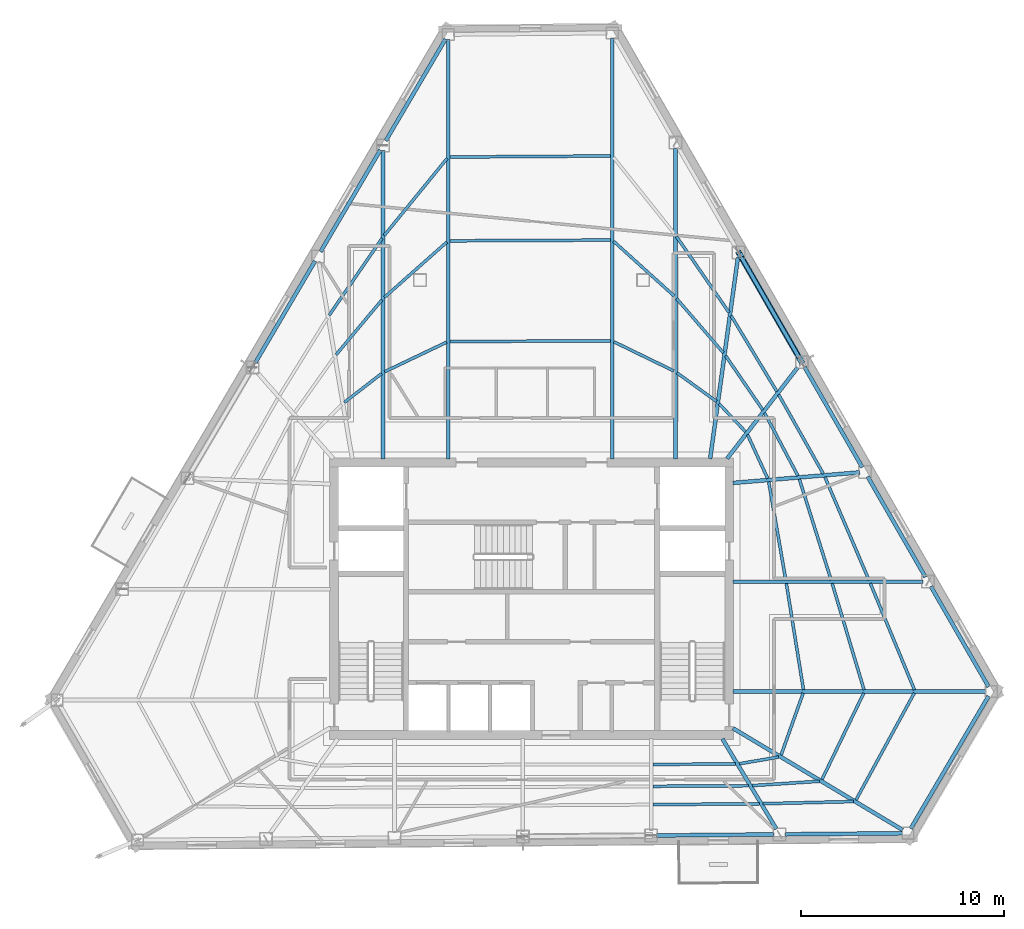
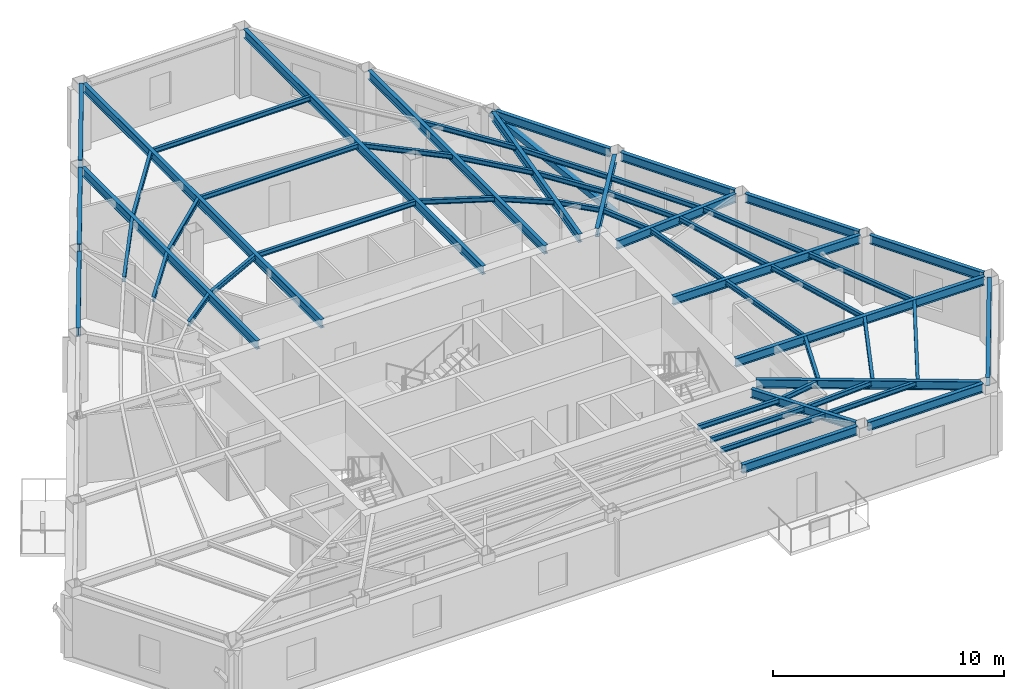
# One storey, part 2 of 14: 56 beams, 1 member.
"""IFC4 building model written with IfcOpenShell, lengths in metres."""

from ifc_helpers import new_model, si_unit, direction, frame, origin, origin_2d, place, context, subcontext, project, spatial, hollow_rectangle, i_section, extrude, material, material_profile, profile_set, type_object, element, save


model = new_model("IFC4")

# Units and contexts
model_context = context("Model", 3, precision=1e-05, world=origin(), true_north=direction((0.0, 1.0)))
body_context = subcontext(model_context, "Body", "Model", "MODEL_VIEW")
ifc_project = project(units=[si_unit("LENGTHUNIT", "METRE"), si_unit("AREAUNIT", "SQUARE_METRE"), si_unit("VOLUMEUNIT", "CUBIC_METRE"), si_unit("PLANEANGLEUNIT", "RADIAN"), si_unit("MASSUNIT", "GRAM", prefix="KILO")], contexts=[model_context])

# Site, building, storey
site_placement = place(None, origin())
site = spatial("IfcSite", under=ifc_project, at=site_placement, CompositionType="ELEMENT")
building_placement = place(site_placement, origin())
building = spatial("IfcBuilding", under=site, at=building_placement, Name="Kavelnor Concourse Tower", CompositionType="ELEMENT")
storey_placement = place(building_placement, frame((0.0, 0.0, 215.050048828125)))
storey = spatial("IfcBuildingStorey", under=building, at=storey_placement, Name="L54", CompositionType="ELEMENT", Elevation=215.050048828125)

# Beams
ifc_material = material(Name="Steel Grade 350", Category="steel")
ifc_material_profile_1 = material_profile(ifc_material, i_section(OverallWidth=0.14599609375, OverallDepth=0.256103515625, WebThickness=0.00634765625, FlangeThickness=0.010986328125, at=origin_2d()), Name="250UB37")
ifc_profile_set_1 = profile_set([ifc_material_profile_1], Name="Steel Grade 350")
beam_type_1 = type_object("IfcBeamType", Name="BM-JOIST-250", PredefinedType="JOIST", material=ifc_profile_set_1)
beam_1_placement = place(storey_placement, frame((43.983642578125, 7.93701171875, 3.471923828125), z_axis=(0.99999495857, 0.00317534796, 0.0), x_axis=(-0.00317534796, 0.99999495857, 0.0)))
element("IfcBeam", 1, at=beam_1_placement, inside=storey, type_object=beam_type_1, Name="L54 Secondary Composite Joist 06-1", PredefinedType="JOIST", context=body_context, shape_type="SweptSolid", body=[
    extrude(i_section(OverallWidth=0.14599609375, OverallDepth=0.256103515625, WebThickness=0.00634765625, FlangeThickness=0.010986328125, at=origin_2d()), origin(), (0.0, 0.0, 1.0), 4.074951171875),
])
beam_2_placement = place(storey_placement, frame((43.983642578125, 6.8544921875, 3.471923828125), z_axis=(0.999981327508, 0.006111025773, 0.0), x_axis=(-0.006111025773, 0.999981327508, 0.0)))
element("IfcBeam", 2, at=beam_2_placement, inside=storey, type_object=beam_type_1, Name="L54 Secondary Composite Joist 06-2", PredefinedType="JOIST", context=body_context, shape_type="SweptSolid", body=[
    extrude(i_section(OverallWidth=0.14599609375, OverallDepth=0.256103515625, WebThickness=0.00634765625, FlangeThickness=0.010986328125, at=origin_2d()), origin(), (0.0, 0.0, 1.0), 4.714111328125),
])
beam_3_placement = place(storey_placement, frame((43.983642578125, 5.952392578125, 3.471923828125), z_axis=(0.999967971751, 0.008003466316, 0.0), x_axis=(-0.008003466316, 0.999967971751, 0.0)))
element("IfcBeam", 3, at=beam_3_placement, inside=storey, type_object=beam_type_1, Name="L54 Secondary Composite Joist 06-3", PredefinedType="JOIST", context=body_context, shape_type="SweptSolid", body=[
    extrude(i_section(OverallWidth=0.14599609375, OverallDepth=0.256103515625, WebThickness=0.00634765625, FlangeThickness=0.010986328125, at=origin_2d()), origin(), (0.0, 0.0, 1.0), 5.246826171875),
])
beam_4_placement = place(storey_placement, frame((48.235595703125, 7.965087890625, 3.471923828125), z_axis=(0.985678755142, 0.168633898317, 0.0), x_axis=(-0.168633898317, 0.985678755142, 0.0)))
element("IfcBeam", 4, at=beam_4_placement, inside=storey, type_object=beam_type_1, Name="L54 Secondary Composite Joist 07-1", PredefinedType="JOIST", context=body_context, shape_type="SweptSolid", body=[
    extrude(i_section(OverallWidth=0.14599609375, OverallDepth=0.256103515625, WebThickness=0.00634765625, FlangeThickness=0.010986328125, at=origin_2d()), origin(), (0.0, 0.0, 1.0), 1.971923828125),
])
beam_5_placement = place(storey_placement, frame((48.87548828125, 6.889404296875, 3.471923828125), z_axis=(0.997918590509, 0.064486329691, 0.0), x_axis=(-0.064486329691, 0.997918590509, 0.0)))
element("IfcBeam", 5, at=beam_5_placement, inside=storey, type_object=beam_type_1, Name="L54 Secondary Composite Joist 07-2", PredefinedType="JOIST", context=body_context, shape_type="SweptSolid", body=[
    extrude(i_section(OverallWidth=0.14599609375, OverallDepth=0.256103515625, WebThickness=0.00634765625, FlangeThickness=0.010986328125, at=origin_2d()), origin(), (0.0, 0.0, 1.0), 3.31640625),
])
beam_6_placement = place(storey_placement, frame((49.408203125, 5.997314453125, 3.471923828125), z_axis=(0.999713900681, 0.023918962887, 0.0), x_axis=(-0.023918962887, 0.999713900681, 0.0)))
element("IfcBeam", 6, at=beam_6_placement, inside=storey, type_object=beam_type_1, Name="L54 Secondary Composite Joist 07-3", PredefinedType="JOIST", context=body_context, shape_type="SweptSolid", body=[
    extrude(i_section(OverallWidth=0.14599609375, OverallDepth=0.256103515625, WebThickness=0.00634765625, FlangeThickness=0.010986328125, at=origin_2d()), origin(), (0.0, 0.0, 1.0), 4.4501953125),
])
beam_7_placement = place(storey_placement, frame((50.296875, 8.396484375, 3.471923828125), z_axis=(0.335906480269, 0.941895342654, 0.0), x_axis=(-0.941895342654, 0.335906480269, 0.0)))
element("IfcBeam", 7, at=beam_7_placement, inside=storey, type_object=beam_type_1, Name="L54 Secondary Composite Joist 08-1", PredefinedType="JOIST", context=body_context, shape_type="SweptSolid", body=[
    extrude(i_section(OverallWidth=0.14599609375, OverallDepth=0.256103515625, WebThickness=0.00634765625, FlangeThickness=0.010986328125, at=origin_2d()), origin(), (0.0, 0.0, 1.0), 3.238037109375),
])
beam_8_placement = place(storey_placement, frame((52.3125, 7.189208984375, 3.471923828125), z_axis=(0.43493373876, 0.900462460566, 0.0), x_axis=(-0.900462460566, 0.43493373876, 0.0)))
element("IfcBeam", 8, at=beam_8_placement, inside=storey, type_object=beam_type_1, Name="L54 Secondary Composite Joist 08-2", PredefinedType="JOIST", context=body_context, shape_type="SweptSolid", body=[
    extrude(i_section(OverallWidth=0.14599609375, OverallDepth=0.256103515625, WebThickness=0.00634765625, FlangeThickness=0.010986328125, at=origin_2d()), origin(), (0.0, 0.0, 1.0), 4.73193359375),
])
beam_9_placement = place(storey_placement, frame((53.98876953125, 6.18408203125, 3.471923828125), z_axis=(0.478920538895, 0.877858255885, 0.0), x_axis=(-0.877858255885, 0.478920538895, 0.0)))
element("IfcBeam", 9, at=beam_9_placement, inside=storey, type_object=beam_type_1, Name="L54 Secondary Composite Joist 08-3", PredefinedType="JOIST", context=body_context, shape_type="SweptSolid", body=[
    extrude(i_section(OverallWidth=0.14599609375, OverallDepth=0.256103515625, WebThickness=0.00634765625, FlangeThickness=0.010986328125, at=origin_2d()), origin(), (0.0, 0.0, 1.0), 6.0009765625),
])
beam_10_placement = place(storey_placement, frame((51.400146484375, 11.6181640625, 3.471923828125), z_axis=(-0.159154253395, 0.987253728089, 0.0), x_axis=(-0.987253728089, -0.159154253395, 0.0)))
element("IfcBeam", 10, at=beam_10_placement, inside=storey, type_object=beam_type_1, Name="L54 Secondary Composite Joist 09-1", PredefinedType="JOIST", context=body_context, shape_type="SweptSolid", body=[
    extrude(i_section(OverallWidth=0.14599609375, OverallDepth=0.256103515625, WebThickness=0.00634765625, FlangeThickness=0.010986328125, at=origin_2d()), origin(), (0.0, 0.0, 1.0), 5.301513671875),
])
beam_11_placement = place(storey_placement, frame((54.3837890625, 11.615478515625, 3.471923828125), z_axis=(-0.286733491458, 0.95801038871, 0.0), x_axis=(-0.95801038871, -0.286733491458, 0.0)))
element("IfcBeam", 11, at=beam_11_placement, inside=storey, type_object=beam_type_1, Name="L54 Secondary Composite Joist 09-2", PredefinedType="JOIST", context=body_context, shape_type="SweptSolid", body=[
    extrude(i_section(OverallWidth=0.14599609375, OverallDepth=0.256103515625, WebThickness=0.00634765625, FlangeThickness=0.010986328125, at=origin_2d()), origin(), (0.0, 0.0, 1.0), 5.468994140625),
])
beam_12_placement = place(storey_placement, frame((56.87109375, 11.6123046875, 3.471923828125), z_axis=(-0.382837836542, 0.92381556109, 0.0), x_axis=(-0.92381556109, -0.382837836542, 0.0)))
element("IfcBeam", 12, at=beam_12_placement, inside=storey, type_object=beam_type_1, Name="L54 Secondary Composite Joist 09-3", PredefinedType="JOIST", context=body_context, shape_type="SweptSolid", body=[
    extrude(i_section(OverallWidth=0.14599609375, OverallDepth=0.256103515625, WebThickness=0.00634765625, FlangeThickness=0.010986328125, at=origin_2d()), origin(), (0.0, 0.0, 1.0), 5.67822265625),
])
beam_13_placement = place(storey_placement, frame((50.527099609375, 17.027587890625, 3.471923828125), z_axis=(-0.171303412661, 0.985218321394, 0.0), x_axis=(-0.985218321394, -0.171303412661, 0.0)))
element("IfcBeam", 13, at=beam_13_placement, inside=storey, type_object=beam_type_1, Name="L54 Secondary Composite Joist 10-1", PredefinedType="JOIST", context=body_context, shape_type="SweptSolid", body=[
    extrude(i_section(OverallWidth=0.14599609375, OverallDepth=0.256103515625, WebThickness=0.00634765625, FlangeThickness=0.010986328125, at=origin_2d()), origin(), (0.0, 0.0, 1.0), 4.9111328125),
])
beam_14_placement = place(storey_placement, frame((52.76318359375, 17.02490234375, 3.471923828125), z_axis=(-0.300523522278, 0.953774403388, 0.0), x_axis=(-0.953774403388, -0.300523522278, 0.0)))
element("IfcBeam", 14, at=beam_14_placement, inside=storey, type_object=beam_type_1, Name="L54 Secondary Composite Joist 10-2", PredefinedType="JOIST", context=body_context, shape_type="SweptSolid", body=[
    extrude(i_section(OverallWidth=0.14599609375, OverallDepth=0.256103515625, WebThickness=0.00634765625, FlangeThickness=0.010986328125, at=origin_2d()), origin(), (0.0, 0.0, 1.0), 5.209716796875),
])
beam_15_placement = place(storey_placement, frame((54.628173828125, 17.021728515625, 3.471923828125), z_axis=(-0.393209762945, 0.919448792661, 0.0), x_axis=(-0.919448792661, -0.393209762945, 0.0)))
element("IfcBeam", 15, at=beam_15_placement, inside=storey, type_object=beam_type_1, Name="L54 Secondary Composite Joist 10-3", PredefinedType="JOIST", context=body_context, shape_type="SweptSolid", body=[
    extrude(i_section(OverallWidth=0.14599609375, OverallDepth=0.256103515625, WebThickness=0.00634765625, FlangeThickness=0.010986328125, at=origin_2d()), origin(), (0.0, 0.0, 1.0), 5.524169921875),
])
beam_16_placement = place(storey_placement, frame((49.63330078125, 22.03466796875, 3.471923828125), z_axis=(-0.418200394069, 0.908354793239, 0.0), x_axis=(-0.908354793239, -0.418200394069, 0.0)))
element("IfcBeam", 16, at=beam_16_placement, inside=storey, type_object=beam_type_1, Name="L54 Secondary Composite Joist 11-1", PredefinedType="JOIST", context=body_context, shape_type="SweptSolid", body=[
    extrude(i_section(OverallWidth=0.14599609375, OverallDepth=0.256103515625, WebThickness=0.00634765625, FlangeThickness=0.010986328125, at=origin_2d()), origin(), (0.0, 0.0, 1.0), 2.364990234375),
])
beam_17_placement = place(storey_placement, frame((51.12890625, 22.1572265625, 3.471923828125), z_axis=(-0.468516600491, 0.883454693272, 0.0), x_axis=(-0.883454693272, -0.468516600491, 0.0)))
element("IfcBeam", 17, at=beam_17_placement, inside=storey, type_object=beam_type_1, Name="L54 Secondary Composite Joist 11-2", PredefinedType="JOIST", context=body_context, shape_type="SweptSolid", body=[
    extrude(i_section(OverallWidth=0.14599609375, OverallDepth=0.256103515625, WebThickness=0.00634765625, FlangeThickness=0.010986328125, at=origin_2d()), origin(), (0.0, 0.0, 1.0), 3.51318359375),
])
beam_18_placement = place(storey_placement, frame((52.377197265625, 22.26025390625, 3.471923828125), z_axis=(-0.491007041083, 0.871155603556, 0.0), x_axis=(-0.871155603556, -0.491007041083, 0.0)))
element("IfcBeam", 18, at=beam_18_placement, inside=storey, type_object=beam_type_1, Name="L54 Secondary Composite Joist 11-3", PredefinedType="JOIST", context=body_context, shape_type="SweptSolid", body=[
    extrude(i_section(OverallWidth=0.14599609375, OverallDepth=0.256103515625, WebThickness=0.00634765625, FlangeThickness=0.010986328125, at=origin_2d()), origin(), (0.0, 0.0, 1.0), 4.47509765625),
])
beam_19_placement = place(storey_placement, frame((48.546142578125, 24.328369140625, 3.471923828125), z_axis=(-0.685905907162, 0.727690240776, 0.0), x_axis=(-0.727690240776, -0.685905907162, 0.0)))
element("IfcBeam", 19, at=beam_19_placement, inside=storey, type_object=beam_type_1, Name="L54 Secondary Composite Joist 12-1", PredefinedType="JOIST", context=body_context, shape_type="SweptSolid", body=[
    extrude(i_section(OverallWidth=0.14599609375, OverallDepth=0.256103515625, WebThickness=0.00634765625, FlangeThickness=0.010986328125, at=origin_2d()), origin(), (0.0, 0.0, 1.0), 1.89892578125),
])
beam_20_placement = place(storey_placement, frame((49.390869140625, 25.412841796875, 3.471923828125), z_axis=(-0.565730793997, 0.824590000378, 0.0), x_axis=(-0.824590000378, -0.565730793997, 0.0)))
element("IfcBeam", 20, at=beam_20_placement, inside=storey, type_object=beam_type_1, Name="L54 Secondary Composite Joist 12-2", PredefinedType="JOIST", context=body_context, shape_type="SweptSolid", body=[
    extrude(i_section(OverallWidth=0.14599609375, OverallDepth=0.256103515625, WebThickness=0.00634765625, FlangeThickness=0.010986328125, at=origin_2d()), origin(), (0.0, 0.0, 1.0), 3.234130859375),
])
beam_21_placement = place(storey_placement, frame((50.09033203125, 26.3125, 3.471923828125), z_axis=(-0.516570455548, 0.856244687256, 0.0), x_axis=(-0.856244687256, -0.516570455548, 0.0)))
element("IfcBeam", 21, at=beam_21_placement, inside=storey, type_object=beam_type_1, Name="L54 Secondary Composite Joist 12-3", PredefinedType="JOIST", context=body_context, shape_type="SweptSolid", body=[
    extrude(i_section(OverallWidth=0.14599609375, OverallDepth=0.256103515625, WebThickness=0.00634765625, FlangeThickness=0.010986328125, at=origin_2d()), origin(), (0.0, 0.0, 1.0), 4.375),
])
beam_22_placement = place(storey_placement, frame((47.1103515625, 25.826904296875, 3.471923828125), z_axis=(-0.810124938437, 0.586257267863, 0.0), x_axis=(-0.586257267863, -0.810124938437, 0.0)))
element("IfcBeam", 22, at=beam_22_placement, inside=storey, type_object=beam_type_1, Name="L54 Secondary Composite Joist 13-1", PredefinedType="JOIST", context=body_context, shape_type="SweptSolid", body=[
    extrude(i_section(OverallWidth=0.14599609375, OverallDepth=0.256103515625, WebThickness=0.00634765625, FlangeThickness=0.010986328125, at=origin_2d()), origin(), (0.0, 0.0, 1.0), 2.40576171875),
])
beam_23_placement = place(storey_placement, frame((47.45263671875, 28.220458984375, 3.471923828125), z_axis=(-0.652388685493, 0.757884557859, 0.0), x_axis=(-0.757884557859, -0.652388685493, 0.0)))
element("IfcBeam", 23, at=beam_23_placement, inside=storey, type_object=beam_type_1, Name="L54 Secondary Composite Joist 13-2", PredefinedType="JOIST", context=body_context, shape_type="SweptSolid", body=[
    extrude(i_section(OverallWidth=0.14599609375, OverallDepth=0.256103515625, WebThickness=0.00634765625, FlangeThickness=0.010986328125, at=origin_2d()), origin(), (0.0, 0.0, 1.0), 3.53369140625),
])
beam_24_placement = place(storey_placement, frame((47.733642578125, 30.2080078125, 3.471923828125), z_axis=(-0.568978808695, 0.822352184442, 0.0), x_axis=(-0.822352184442, -0.568978808695, 0.0)))
element("IfcBeam", 24, at=beam_24_placement, inside=storey, type_object=beam_type_1, Name="L54 Secondary Composite Joist 13-3", PredefinedType="JOIST", context=body_context, shape_type="SweptSolid", body=[
    extrude(i_section(OverallWidth=0.14599609375, OverallDepth=0.256103515625, WebThickness=0.00634765625, FlangeThickness=0.010986328125, at=origin_2d()), origin(), (0.0, 0.0, 1.0), 4.55859375),
])
beam_25_placement = place(storey_placement, frame((45.00927734375, 27.328369140625, 3.471923828125), z_axis=(-0.899249310995, 0.437436483018, 0.0), x_axis=(-0.437436483018, -0.899249310995, 0.0)))
element("IfcBeam", 25, at=beam_25_placement, inside=storey, type_object=beam_type_1, Name="L54 Secondary Composite Joist 14-1", PredefinedType="JOIST", context=body_context, shape_type="SweptSolid", body=[
    extrude(i_section(OverallWidth=0.14599609375, OverallDepth=0.256103515625, WebThickness=0.00634765625, FlangeThickness=0.010986328125, at=origin_2d()), origin(), (0.0, 0.0, 1.0), 3.28515625),
])
beam_26_placement = place(storey_placement, frame((45.023193359375, 31.02587890625, 3.471923828125), z_axis=(-0.742099718237, 0.670289495809, 0.0), x_axis=(-0.670289495809, -0.742099718237, 0.0)))
element("IfcBeam", 26, at=beam_26_placement, inside=storey, type_object=beam_type_1, Name="L54 Secondary Composite Joist 14-2", PredefinedType="JOIST", context=body_context, shape_type="SweptSolid", body=[
    extrude(i_section(OverallWidth=0.14599609375, OverallDepth=0.256103515625, WebThickness=0.00634765625, FlangeThickness=0.010986328125, at=origin_2d()), origin(), (0.0, 0.0, 1.0), 4.0185546875),
])
for number, where, z_axis, x_axis, name in (
    (27, (41.885986328125, 28.803955078125, 3.471923828125), (-0.999996872312, -0.002501072891, 0.0), (0.002501072891, -0.999996872312, 0.0), "L54 Secondary Composite Joist 15-1"),
    (28, (41.885986328125, 33.77880859375, 3.471923828125), (-0.999988986246, -0.004693334339, 0.0), (0.004693334339, -0.999988986246, 0.0), "L54 Secondary Composite Joist 15-2"),
):
    element("IfcBeam", number, at=place(storey_placement, frame(where, z_axis=z_axis, x_axis=x_axis)), inside=storey, type_object=beam_type_1, Name=name, PredefinedType="JOIST", context=body_context, shape_type="SweptSolid", body=[
        extrude(i_section(OverallWidth=0.14599609375, OverallDepth=0.256103515625, WebThickness=0.00634765625, FlangeThickness=0.010986328125, at=origin_2d()), origin(), (0.0, 0.0, 1.0), 7.90673828125),
    ])
beam_27_placement = place(storey_placement, frame((41.885986328125, 37.924560546875, 3.471923828125), z_axis=(-0.999978977698, -0.006484147018, 0.0), x_axis=(0.006484147018, -0.999978977698, 0.0)))
element("IfcBeam", 29, at=beam_27_placement, inside=storey, type_object=beam_type_1, Name="L54 Secondary Composite Joist 15-3", PredefinedType="JOIST", context=body_context, shape_type="SweptSolid", body=[
    extrude(i_section(OverallWidth=0.14599609375, OverallDepth=0.256103515625, WebThickness=0.00634765625, FlangeThickness=0.010986328125, at=origin_2d()), origin(), (0.0, 0.0, 1.0), 7.906982421875),
])
beam_28_placement = place(storey_placement, frame((33.81005859375, 28.74560546875, 3.471923828125), z_axis=(-0.902768437262, -0.430126898349, 0.0), x_axis=(0.430126898349, -0.902768437262, 0.0)))
element("IfcBeam", 30, at=beam_28_placement, inside=storey, type_object=beam_type_1, Name="L54 Secondary Composite Joist 16-1", PredefinedType="JOIST", context=body_context, shape_type="SweptSolid", body=[
    extrude(i_section(OverallWidth=0.14599609375, OverallDepth=0.256103515625, WebThickness=0.00634765625, FlangeThickness=0.010986328125, at=origin_2d()), origin(), (0.0, 0.0, 1.0), 3.38232421875),
])
beam_29_placement = place(storey_placement, frame((33.823486328125, 33.6826171875, 3.471923828125), z_axis=(-0.748851548574, -0.662737774839, 0.0), x_axis=(0.662737774839, -0.748851548574, 0.0)))
element("IfcBeam", 31, at=beam_29_placement, inside=storey, type_object=beam_type_1, Name="L54 Secondary Composite Joist 16-2", PredefinedType="JOIST", context=body_context, shape_type="SweptSolid", body=[
    extrude(i_section(OverallWidth=0.14599609375, OverallDepth=0.256103515625, WebThickness=0.00634765625, FlangeThickness=0.010986328125, at=origin_2d()), origin(), (0.0, 0.0, 1.0), 4.11376953125),
])
beam_30_placement = place(storey_placement, frame((33.833984375, 37.8037109375, 3.471923828125), z_axis=(-0.632337475518, -0.77469304699, 0.0), x_axis=(0.77469304699, -0.632337475518, 0.0)))
element("IfcBeam", 32, at=beam_30_placement, inside=storey, type_object=beam_type_1, Name="L54 Secondary Composite Joist 16-3", PredefinedType="JOIST", context=body_context, shape_type="SweptSolid", body=[
    extrude(i_section(OverallWidth=0.14599609375, OverallDepth=0.256103515625, WebThickness=0.00634765625, FlangeThickness=0.010986328125, at=origin_2d()), origin(), (0.0, 0.0, 1.0), 4.905029296875),
])
beam_31_placement = place(storey_placement, frame((30.605712890625, 27.197998046875, 3.471923828125), z_axis=(-0.791028591713, -0.611779181644, 0.0), x_axis=(0.611779181644, -0.791028591713, 0.0)))
element("IfcBeam", 33, at=beam_31_placement, inside=storey, type_object=beam_type_1, Name="L54 Secondary Composite Joist 17-1", PredefinedType="JOIST", context=body_context, shape_type="SweptSolid", body=[
    extrude(i_section(OverallWidth=0.14599609375, OverallDepth=0.256103515625, WebThickness=0.00634765625, FlangeThickness=0.010986328125, at=origin_2d()), origin(), (0.0, 0.0, 1.0), 2.324951171875),
])
beam_32_placement = place(storey_placement, frame((30.619140625, 30.8291015625, 3.471923828125), z_axis=(-0.641218322235, -0.767358497203, 0.0), x_axis=(0.767358497203, -0.641218322235, 0.0)))
element("IfcBeam", 34, at=beam_32_placement, inside=storey, type_object=beam_type_1, Name="L54 Secondary Composite Joist 17-2", PredefinedType="JOIST", context=body_context, shape_type="SweptSolid", body=[
    extrude(i_section(OverallWidth=0.14599609375, OverallDepth=0.256103515625, WebThickness=0.00634765625, FlangeThickness=0.010986328125, at=origin_2d()), origin(), (0.0, 0.0, 1.0), 3.5283203125),
])
beam_33_placement = place(storey_placement, frame((30.625732421875, 33.861572265625, 3.471923828125), z_axis=(-0.566497294507, -0.824063599072, 0.0), x_axis=(0.824063599072, -0.566497294507, 0.0)))
element("IfcBeam", 35, at=beam_33_placement, inside=storey, type_object=beam_type_1, Name="L54 Secondary Composite Joist 17-3", PredefinedType="JOIST", context=body_context, shape_type="SweptSolid", body=[
    extrude(i_section(OverallWidth=0.14599609375, OverallDepth=0.256103515625, WebThickness=0.00634765625, FlangeThickness=0.010986328125, at=origin_2d()), origin(), (0.0, 0.0, 1.0), 4.60107421875),
])
ifc_material_profile_2 = material_profile(ifc_material, i_section(OverallWidth=0.18994140625, OverallDepth=0.4541015625, WebThickness=0.008544921875, FlangeThickness=0.0126953125, at=origin_2d()), Name="460UB67")
ifc_profile_set_2 = profile_set([ifc_material_profile_2], Name="Steel Grade 350")
beam_type_2 = type_object("IfcBeamType", Name="BM-PRIMARY-460", PredefinedType="BEAM", material=ifc_profile_set_2)
beam_34_placement = place(storey_placement, frame((33.890380859375, 23.0, 3.373046875), z_axis=(0.0, 1.0, 0.0), x_axis=(-1.0, 0.0, 0.0)))
element("IfcBeam", 36, at=beam_34_placement, inside=storey, type_object=beam_type_2, Name="L54 Primary Floor Girder F0-B0", PredefinedType="BEAM", context=body_context, shape_type="SweptSolid", body=[
    extrude(i_section(OverallWidth=0.18994140625, OverallDepth=0.4541015625, WebThickness=0.008544921875, FlangeThickness=0.0126953125, at=origin_2d()), origin(), (0.0, 0.0, 1.0), 20.656494140625),
])
beam_35_placement = place(storey_placement, frame((30.67626953125, 23.0, 3.373046875), z_axis=(0.0, 1.0, 0.0), x_axis=(-1.0, 0.0, 0.0)))
element("IfcBeam", 37, at=beam_35_placement, inside=storey, type_object=beam_type_2, Name="L54 Primary Floor Girder F0-B1", PredefinedType="BEAM", context=body_context, shape_type="SweptSolid", body=[
    extrude(i_section(OverallWidth=0.18994140625, OverallDepth=0.4541015625, WebThickness=0.008544921875, FlangeThickness=0.0126953125, at=origin_2d()), origin(), (0.0, 0.0, 1.0), 15.187255859375),
])
beam_36_placement = place(storey_placement, frame((47.40234375, 9.1943359375, 3.373046875), z_axis=(0.513975821272, -0.857804671908, 0.0), x_axis=(0.857804671908, 0.513975821272, 0.0)))
element("IfcBeam", 38, at=beam_36_placement, inside=storey, type_object=beam_type_2, Name="L54 Primary Floor Girder F1-B5", PredefinedType="BEAM", context=body_context, shape_type="SweptSolid", body=[
    extrude(i_section(OverallWidth=0.18994140625, OverallDepth=0.4541015625, WebThickness=0.008544921875, FlangeThickness=0.0126953125, at=origin_2d()), origin(), (0.0, 0.0, 1.0), 5.179931640625),
])
beam_37_placement = place(storey_placement, frame((47.92578125, 9.716796875, 3.373046875), z_axis=(0.857574661189, -0.514359505099, 0.0), x_axis=(0.514359505099, 0.857574661189, 0.0)))
element("IfcBeam", 39, at=beam_37_placement, inside=storey, type_object=beam_type_2, Name="L54 Primary Floor Girder F1-B6", PredefinedType="BEAM", context=body_context, shape_type="SweptSolid", body=[
    extrude(i_section(OverallWidth=0.18994140625, OverallDepth=0.4541015625, WebThickness=0.008544921875, FlangeThickness=0.0126953125, at=origin_2d()), origin(), (0.0, 0.0, 1.0), 9.750244140625),
])
beam_38_placement = place(storey_placement, frame((47.919921875, 11.5302734375, 3.373046875), z_axis=(1.0, 0.0, 0.0), x_axis=(0.0, 1.0, 0.0)))
element("IfcBeam", 40, at=beam_38_placement, inside=storey, type_object=beam_type_2, Name="L54 Primary Floor Girder F2-B0", PredefinedType="BEAM", context=body_context, shape_type="SweptSolid", body=[
    extrude(i_section(OverallWidth=0.18994140625, OverallDepth=0.4541015625, WebThickness=0.008544921875, FlangeThickness=0.0126953125, at=origin_2d()), origin(), (0.0, 0.0, 1.0), 12.479736328125),
])
beam_39_placement = place(storey_placement, frame((47.919921875, 16.93994140625, 3.373046875), z_axis=(1.0, 0.0, 0.0), x_axis=(0.0, 1.0, 0.0)))
element("IfcBeam", 41, at=beam_39_placement, inside=storey, type_object=beam_type_2, Name="L54 Primary Floor Girder F2-B1", PredefinedType="BEAM", context=body_context, shape_type="SweptSolid", body=[
    extrude(i_section(OverallWidth=0.18994140625, OverallDepth=0.4541015625, WebThickness=0.008544921875, FlangeThickness=0.0126953125, at=origin_2d()), origin(), (0.0, 0.0, 1.0), 9.365478515625),
])
beam_40_placement = place(storey_placement, frame((47.920166015625, 21.80810546875, 3.373046875), z_axis=(0.996554610303, 0.082939186665, 0.0), x_axis=(-0.082939186665, 0.996554610303, 0.0)))
element("IfcBeam", 42, at=beam_40_placement, inside=storey, type_object=beam_type_2, Name="L54 Primary Floor Girder F2-B2", PredefinedType="BEAM", context=body_context, shape_type="SweptSolid", body=[
    extrude(i_section(OverallWidth=0.18994140625, OverallDepth=0.4541015625, WebThickness=0.008544921875, FlangeThickness=0.0126953125, at=origin_2d()), origin(), (0.0, 0.0, 1.0), 6.27294921875),
])
beam_41_placement = place(storey_placement, frame((47.63427734375, 23.00830078125, 3.373046875), z_axis=(0.612643593738, 0.790359302502, 0.0), x_axis=(-0.790359302502, 0.612643593738, 0.0)))
element("IfcBeam", 43, at=beam_41_placement, inside=storey, type_object=beam_type_2, Name="L54 Primary Floor Girder F2-B3", PredefinedType="BEAM", context=body_context, shape_type="SweptSolid", body=[
    extrude(i_section(OverallWidth=0.18994140625, OverallDepth=0.4541015625, WebThickness=0.008544921875, FlangeThickness=0.0126953125, at=origin_2d()), origin(), (0.0, 0.0, 1.0), 5.67236328125),
])
beam_42_placement = place(storey_placement, frame((46.799560546875, 23.00048828125, 3.373046875), z_axis=(0.136755503646, 0.990604831516, 0.0), x_axis=(-0.990604831516, 0.136755503646, 0.0)))
element("IfcBeam", 44, at=beam_42_placement, inside=storey, type_object=beam_type_2, Name="L54 Primary Floor Girder F2-B4", PredefinedType="BEAM", context=body_context, shape_type="SweptSolid", body=[
    extrude(i_section(OverallWidth=0.18994140625, OverallDepth=0.4541015625, WebThickness=0.008544921875, FlangeThickness=0.0126953125, at=origin_2d()), origin(), (0.0, 0.0, 1.0), 10.002685546875),
])
beam_43_placement = place(storey_placement, frame((45.089111328125, 23.0, 3.373046875), z_axis=(0.0, 1.0, 0.0), x_axis=(-1.0, 0.0, 0.0)))
element("IfcBeam", 45, at=beam_43_placement, inside=storey, type_object=beam_type_2, Name="L54 Primary Floor Girder F2-B5", PredefinedType="BEAM", context=body_context, shape_type="SweptSolid", body=[
    extrude(i_section(OverallWidth=0.18994140625, OverallDepth=0.4541015625, WebThickness=0.008544921875, FlangeThickness=0.0126953125, at=origin_2d()), origin(), (0.0, 0.0, 1.0), 15.319580078125),
])
beam_44_placement = place(storey_placement, frame((41.97509765625, 23.0, 3.373046875), z_axis=(0.0, 1.0, 0.0), x_axis=(-1.0, 0.0, 0.0)))
element("IfcBeam", 46, at=beam_44_placement, inside=storey, type_object=beam_type_2, Name="L54 Primary Floor Girder F2-B6", PredefinedType="BEAM", context=body_context, shape_type="SweptSolid", body=[
    extrude(i_section(OverallWidth=0.18994140625, OverallDepth=0.4541015625, WebThickness=0.008544921875, FlangeThickness=0.0126953125, at=origin_2d()), origin(), (0.0, 0.0, 1.0), 20.729248046875),
])
ifc_material_profile_3 = material_profile(ifc_material, i_section(OverallWidth=0.19091796875, OverallDepth=0.4599609375, WebThickness=0.010009765625, FlangeThickness=0.01611328125, at=origin_2d()), Name="460UB82")
ifc_profile_set_3 = profile_set([ifc_material_profile_3], Name="Steel Grade 350")
beam_type_3 = type_object("IfcBeamType", Name="BM-SPANDREL-Z3", PredefinedType="SPANDREL", material=ifc_profile_set_3)
for number, where, z_axis, x_axis, name in (
    (47, (33.756103515625, 43.68798828125, 3.369873046875), (-0.506662213004, -0.862144652546, 0.0), (0.862144652546, -0.506662213004, 0.0), "L54 Perimeter Tube Spandrel Beam F0-B0"),
    (48, (30.5419921875, 38.21875, 3.369873046875), (-0.506693426154, -0.862126308549, 0.0), (0.862126308549, -0.506693426154, 0.0), "L54 Perimeter Tube Spandrel Beam F0-B1"),
    (49, (27.32763671875, 32.74951171875, 3.369873046875), (-0.506662213004, -0.862144652546, 0.0), (0.862144652546, -0.506662213004, 0.0), "L54 Perimeter Tube Spandrel Beam F0-B2"),
):
    element("IfcBeam", number, at=place(storey_placement, frame(where, z_axis=z_axis, x_axis=x_axis)), inside=storey, type_object=beam_type_3, Name=name, PredefinedType="SPANDREL", context=body_context, shape_type="SweptSolid", body=[
        extrude(i_section(OverallWidth=0.19091796875, OverallDepth=0.4599609375, WebThickness=0.010009765625, FlangeThickness=0.01611328125, at=origin_2d()), origin(), (0.0, 0.0, 1.0), 5.813720703125),
    ])
beam_45_placement = place(storey_placement, frame((44.15966796875, 4.430908203125, 3.369873046875), z_axis=(0.999959796295, 0.008966927824, 0.0), x_axis=(-0.008966927824, 0.999959796295, 0.0)))
element("IfcBeam", 50, at=beam_45_placement, inside=storey, type_object=beam_type_3, Name="L54 Perimeter Tube Spandrel Beam F1-B4", PredefinedType="SPANDREL", context=body_context, shape_type="SweptSolid", body=[
    extrude(i_section(OverallWidth=0.19091796875, OverallDepth=0.4599609375, WebThickness=0.010009765625, FlangeThickness=0.01611328125, at=origin_2d()), origin(), (0.0, 0.0, 1.0), 5.79931640625),
])
beam_46_placement = place(storey_placement, frame((50.48876953125, 4.48779296875, 3.369873046875), z_axis=(0.999959799679, 0.008966550363, 0.0), x_axis=(-0.008966550363, 0.999959799679, 0.0)))
element("IfcBeam", 51, at=beam_46_placement, inside=storey, type_object=beam_type_3, Name="L54 Perimeter Tube Spandrel Beam F1-B5", PredefinedType="SPANDREL", context=body_context, shape_type="SweptSolid", body=[
    extrude(i_section(OverallWidth=0.19091796875, OverallDepth=0.4599609375, WebThickness=0.010009765625, FlangeThickness=0.01611328125, at=origin_2d()), origin(), (0.0, 0.0, 1.0), 5.799560546875),
])
for number, where, z_axis, x_axis, name in (
    (52, (60.52734375, 11.760009765625, 3.369873046875), (-0.498898294671, 0.866660539989, 0.0), (-0.866660539989, -0.498898294671, 0.0), "L54 Perimeter Tube Spandrel Beam F2-B0"),
    (53, (57.413330078125, 17.169677734375, 3.369873046875), (-0.498879814144, 0.866671178152, 0.0), (-0.866671178152, -0.498879814144, 0.0), "L54 Perimeter Tube Spandrel Beam F2-B1"),
):
    element("IfcBeam", number, at=place(storey_placement, frame(where, z_axis=z_axis, x_axis=x_axis)), inside=storey, type_object=beam_type_3, Name=name, PredefinedType="SPANDREL", context=body_context, shape_type="SweptSolid", body=[
        extrude(i_section(OverallWidth=0.19091796875, OverallDepth=0.4599609375, WebThickness=0.010009765625, FlangeThickness=0.01611328125, at=origin_2d()), origin(), (0.0, 0.0, 1.0), 5.7119140625),
    ])
beam_47_placement = place(storey_placement, frame((54.29931640625, 22.57958984375, 3.369873046875), z_axis=(-0.498911917133, 0.866652697996, 0.0), x_axis=(-0.866652697996, -0.498911917133, 0.0)))
element("IfcBeam", 54, at=beam_47_placement, inside=storey, type_object=beam_type_3, Name="L54 Perimeter Tube Spandrel Beam F2-B2", PredefinedType="SPANDREL", context=body_context, shape_type="SweptSolid", body=[
    extrude(i_section(OverallWidth=0.19091796875, OverallDepth=0.4599609375, WebThickness=0.010009765625, FlangeThickness=0.01611328125, at=origin_2d()), origin(), (0.0, 0.0, 1.0), 5.712158203125),
])
beam_48_placement = place(storey_placement, frame((51.18505859375, 27.989501953125, 3.369873046875), z_axis=(-0.498879814144, 0.866671178152, 0.0), x_axis=(-0.866671178152, -0.498879814144, 0.0)))
element("IfcBeam", 55, at=beam_48_placement, inside=storey, type_object=beam_type_3, Name="L54 Perimeter Tube Spandrel Beam F2-B3", PredefinedType="SPANDREL", context=body_context, shape_type="SweptSolid", body=[
    extrude(i_section(OverallWidth=0.19091796875, OverallDepth=0.4599609375, WebThickness=0.010009765625, FlangeThickness=0.01611328125, at=origin_2d()), origin(), (0.0, 0.0, 1.0), 5.7119140625),
])
beam_49_placement = place(storey_placement, frame((56.6875, 4.770751953125, 3.369873046875), z_axis=(0.506639791652, 0.862157828657, 0.0), x_axis=(-0.862157828657, 0.506639791652, 0.0)))
element("IfcBeam", 56, at=beam_49_placement, inside=storey, type_object=beam_type_3, Name="L54 Chamfer Facet Spandrel Beam C2", PredefinedType="SPANDREL", context=body_context, shape_type="SweptSolid", body=[
    extrude(i_section(OverallWidth=0.19091796875, OverallDepth=0.4599609375, WebThickness=0.010009765625, FlangeThickness=0.01611328125, at=origin_2d()), origin(), (0.0, 0.0, 1.0), 7.5751953125),
])

# Member
ifc_material_profile_4 = material_profile(ifc_material, hollow_rectangle(XDim=0.280029296875, YDim=0.280029296875, WallThickness=0.01611328125, at=origin_2d()), Name="SHS 280x280x16")
ifc_profile_set_4 = profile_set([ifc_material_profile_4], Name="Steel Grade 350")
member_type = type_object("IfcMemberType", Name="MBR-TUBE-DIAG-Z3", PredefinedType="BRACE", material=ifc_profile_set_4)
member_placement = place(storey_placement, frame((51.3173828125, 27.759765625, 0.219970703125), z_axis=(-0.445376966205, 0.773744272375, 0.450509887729), x_axis=(-0.866676776579, -0.498870088238, 0.0)))
element("IfcMember", 57, at=member_placement, inside=storey, type_object=member_type, Name="L54 Framed-Tube Bracing Diagonal F2-B3", PredefinedType="BRACE", context=body_context, shape_type="SweptSolid", body=[
    extrude(hollow_rectangle(XDim=0.280029296875, YDim=0.280029296875, WallThickness=0.01611328125, at=origin_2d()), origin(), (0.0, 0.0, 1.0), 6.991943359375),
])

save(model, "model.ifc")
